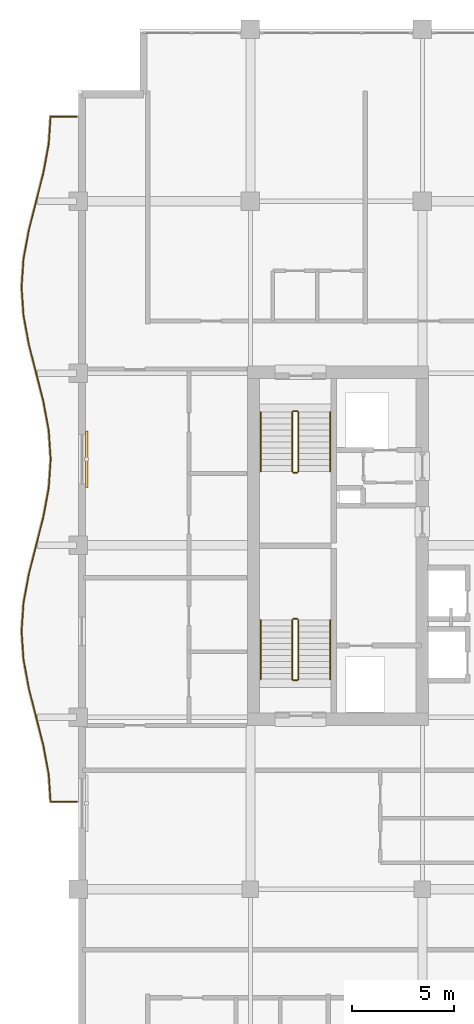
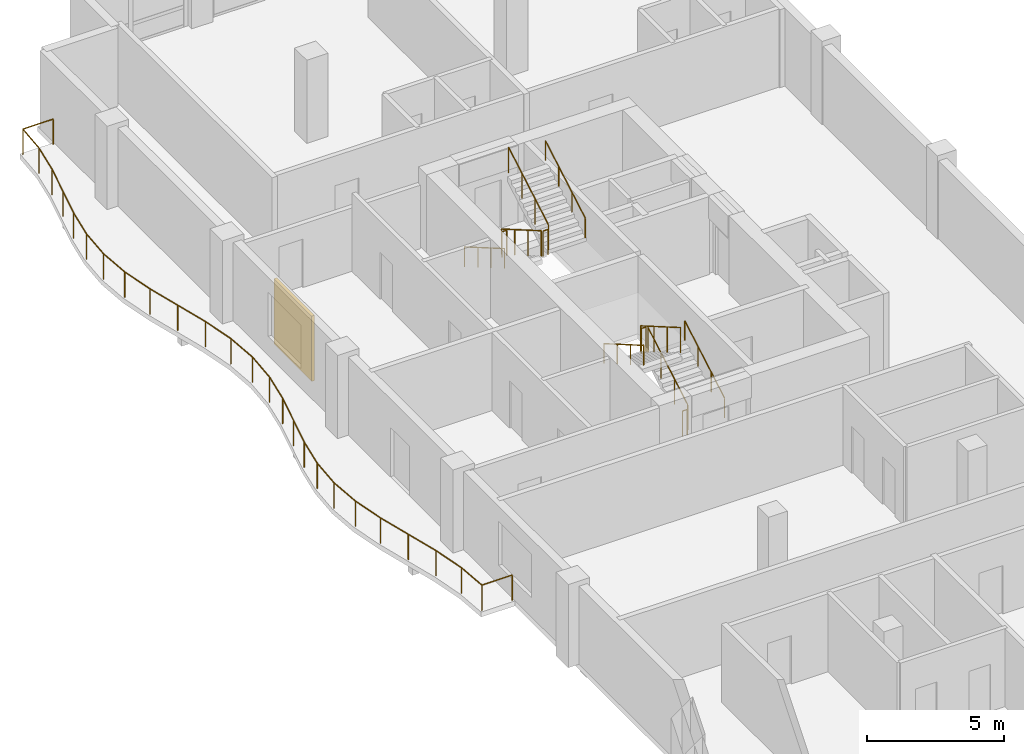
# One storey, part 16 of 17: 13 railings, 1 shading device.
"""IFC4 building model written with IfcOpenShell, lengths in metres."""

from ifc_helpers import new_model, si_unit, direction, frame, origin, origin_2d, place, context, subcontext, project, spatial, rectangle, circle, extrude, material, layer, layer_set, type_object, element, save


model = new_model("IFC4")

# Units and contexts
model_context = context("Model", 3, precision=1e-05, world=origin(), true_north=direction((0.0, 1.0)))
body_context = subcontext(model_context, "Body", "Model", "MODEL_VIEW")
ifc_project = project(units=[si_unit("LENGTHUNIT", "METRE"), si_unit("AREAUNIT", "SQUARE_METRE"), si_unit("VOLUMEUNIT", "CUBIC_METRE"), si_unit("PLANEANGLEUNIT", "RADIAN"), si_unit("MASSUNIT", "GRAM", prefix="KILO")], contexts=[model_context])

# Site, building, storey
site_placement = place(None, origin())
site = spatial("IfcSite", under=ifc_project, at=site_placement, CompositionType="ELEMENT")
building_placement = place(site_placement, origin())
building = spatial("IfcBuilding", under=site, at=building_placement, Name="Koriwani Terraces Tower", CompositionType="ELEMENT")
storey_placement = place(building_placement, frame((0.0, 0.0, 237.89990234375)))
storey = spatial("IfcBuildingStorey", under=building, at=storey_placement, Name="L58", CompositionType="ELEMENT", Elevation=237.89990234375)

# Railings
ifc_material_1 = material(Name="Steel ASTM A572 Grade 50", Category="steel")
railing_type_1 = type_object("IfcRailingType", Name="GUARD_BALUSTRADE_1150", PredefinedType="BALUSTRADE", material=ifc_material_1)
railing_1_placement = place(storey_placement, frame((8.320068359375, 37.8798828125, 0.0)))
element("IfcRailing", 1, at=railing_1_placement, inside=storey, type_object=railing_type_1, Name="L58 Balcony Perimeter Safety Balustrade (W)", PredefinedType="BALUSTRADE", context=body_context, shape_type="SweptSolid", body=[
    extrude(circle(Radius=0.02392578125, at=origin_2d()), frame((0.0, 0.0, 1.1259765625), z_axis=(-1.0, 0.0, 0.0), x_axis=(0.0, -1.0, 0.0)), (0.0, 0.0, 1.0), 1.275146484375),
    extrude(circle(Radius=0.02392578125, at=origin_2d()), frame((-1.275146484375, 0.0, 1.1259765625), z_axis=(-0.068123313151, 0.997676908726, 0.0), x_axis=(-0.997676908726, -0.068123313151, 0.0)), (0.0, 0.0, 1.0), 1.333251953125),
    extrude(circle(Radius=0.02392578125, at=origin_2d()), frame((-1.365966796875, 1.330078125, 1.1259765625), z_axis=(-0.182351913416, 0.983233329212, 0.0), x_axis=(-0.983233329212, -0.182351913416, 0.0)), (0.0, 0.0, 1.0), 1.43115234375),
    extrude(circle(Radius=0.02392578125, at=origin_2d()), frame((-1.626953125, 2.7373046875, 1.1259765625), z_axis=(-0.245775750895, 0.969326714928, 0.0), x_axis=(-0.969326714928, -0.245775750895, 0.0)), (0.0, 0.0, 1.0), 2.888671875),
    extrude(circle(Radius=0.02392578125, at=origin_2d()), frame((-2.3369140625, 5.537353515625, 1.1259765625), z_axis=(-0.182508895706, 0.98320420208, 0.0), x_axis=(-0.98320420208, -0.182508895706, 0.0)), (0.0, 0.0, 1.0), 1.41650390625),
    extrude(circle(Radius=0.02392578125, at=origin_2d()), frame((-2.595458984375, 6.93017578125, 1.1259765625), z_axis=(-0.067821696155, 0.997697457915, 0.0), x_axis=(-0.997697457915, -0.067821696155, 0.0)), (0.0, 0.0, 1.0), 1.39306640625),
    extrude(circle(Radius=0.02392578125, at=origin_2d()), frame((-2.68994140625, 8.320068359375, 1.1259765625), z_axis=(0.067809839848, 0.997698263815, 0.0), x_axis=(-0.997698263815, 0.067809839848, 0.0)), (0.0, 0.0, 1.0), 1.393310546875),
    extrude(circle(Radius=0.02392578125, at=origin_2d()), frame((-2.595458984375, 9.710205078125, 1.1259765625), z_axis=(0.182508895706, 0.98320420208, 0.0), x_axis=(-0.98320420208, 0.182508895706, 0.0)), (0.0, 0.0, 1.0), 1.41650390625),
    extrude(circle(Radius=0.02392578125, at=origin_2d()), frame((-2.3369140625, 11.10302734375, 1.1259765625), z_axis=(0.245775750895, 0.969326714928, 0.0), x_axis=(-0.969326714928, 0.245775750895, 0.0)), (0.0, 0.0, 1.0), 2.888671875),
    extrude(circle(Radius=0.02392578125, at=origin_2d()), frame((-1.626953125, 13.903076171875, 1.1259765625), z_axis=(0.182382502828, 0.983227655562, 0.0), x_axis=(-0.983227655562, 0.182382502828, 0.0)), (0.0, 0.0, 1.0), 1.430908203125),
    extrude(circle(Radius=0.02392578125, at=origin_2d()), frame((-1.365966796875, 15.31005859375, 1.1259765625), z_axis=(0.067711278299, 0.997704957786, 0.0), x_axis=(-0.997704957786, 0.067711278299, 0.0)), (0.0, 0.0, 1.0), 1.413330078125),
    extrude(circle(Radius=0.02392578125, at=origin_2d()), frame((-1.270263671875, 16.72021484375, 1.1259765625), z_axis=(-0.067722949425, 0.997704165633, 0.0), x_axis=(-0.997704165633, -0.067722949425, 0.0)), (0.0, 0.0, 1.0), 1.4130859375),
    extrude(circle(Radius=0.02392578125, at=origin_2d()), frame((-1.365966796875, 18.130126953125, 1.1259765625), z_axis=(-0.182382502828, 0.983227655562, 0.0), x_axis=(-0.983227655562, -0.182382502828, 0.0)), (0.0, 0.0, 1.0), 1.430908203125),
    extrude(circle(Radius=0.02392578125, at=origin_2d()), frame((-1.626953125, 19.537109375, 1.1259765625), z_axis=(-0.245755617389, 0.969331819617, 0.0), x_axis=(-0.969331819617, -0.245755617389, 0.0)), (0.0, 0.0, 1.0), 2.888916015625),
    extrude(circle(Radius=0.02392578125, at=origin_2d()), frame((-2.3369140625, 22.33740234375, 1.1259765625), z_axis=(-0.182508895706, 0.98320420208, 0.0), x_axis=(-0.98320420208, -0.182508895706, 0.0)), (0.0, 0.0, 1.0), 1.41650390625),
    extrude(circle(Radius=0.02392578125, at=origin_2d()), frame((-2.595458984375, 23.730224609375, 1.1259765625), z_axis=(-0.067821696155, 0.997697457915, 0.0), x_axis=(-0.997697457915, -0.067821696155, 0.0)), (0.0, 0.0, 1.0), 1.39306640625),
    extrude(circle(Radius=0.02392578125, at=origin_2d()), frame((-2.68994140625, 25.1201171875, 1.1259765625), z_axis=(0.067821696155, 0.997697457915, 0.0), x_axis=(-0.997697457915, 0.067821696155, 0.0)), (0.0, 0.0, 1.0), 1.39306640625),
    extrude(circle(Radius=0.02392578125, at=origin_2d()), frame((-2.595458984375, 26.510009765625, 1.1259765625), z_axis=(0.182508895706, 0.98320420208, 0.0), x_axis=(-0.98320420208, 0.182508895706, 0.0)), (0.0, 0.0, 1.0), 1.41650390625),
    extrude(circle(Radius=0.02392578125, at=origin_2d()), frame((-2.3369140625, 27.90283203125, 1.1259765625), z_axis=(0.245755617389, 0.969331819617, 0.0), x_axis=(-0.969331819617, 0.245755617389, 0.0)), (0.0, 0.0, 1.0), 2.888916015625),
    extrude(circle(Radius=0.02392578125, at=origin_2d()), frame((-1.626953125, 30.703125, 1.1259765625), z_axis=(0.182382502828, 0.983227655562, 0.0), x_axis=(-0.983227655562, 0.182382502828, 0.0)), (0.0, 0.0, 1.0), 1.430908203125),
    extrude(circle(Radius=0.02392578125, at=origin_2d()), frame((-1.365966796875, 32.110107421875, 1.1259765625), z_axis=(0.068123313151, 0.997676908726, 0.0), x_axis=(-0.997676908726, 0.068123313151, 0.0)), (0.0, 0.0, 1.0), 1.333251953125),
    extrude(circle(Radius=0.02392578125, at=origin_2d()), frame((-1.275146484375, 33.440185546875, 1.1259765625), z_axis=(1.0, 0.0, 0.0), x_axis=(0.0, 1.0, 0.0)), (0.0, 0.0, 1.0), 1.275146484375),
    extrude(circle(Radius=0.02099609375, at=origin_2d()), origin(), (0.0, 0.0, 1.0), 1.101806640625),
    extrude(circle(Radius=0.02099609375, at=origin_2d()), frame((-1.275146484375, 0.0, 0.0)), (0.0, 0.0, 1.0), 1.101806640625),
    extrude(circle(Radius=0.02099609375, at=origin_2d()), frame((-1.365966796875, 1.330078125, 0.0)), (0.0, 0.0, 1.0), 1.101806640625),
    extrude(circle(Radius=0.02099609375, at=origin_2d()), frame((-1.626953125, 2.7373046875, 0.0)), (0.0, 0.0, 1.0), 1.101806640625),
    extrude(circle(Radius=0.02099609375, at=origin_2d()), frame((-1.98193359375, 4.13720703125, 0.0)), (0.0, 0.0, 1.0), 1.101806640625),
    extrude(circle(Radius=0.02099609375, at=origin_2d()), frame((-2.3369140625, 5.537353515625, 0.0)), (0.0, 0.0, 1.0), 1.101806640625),
    extrude(circle(Radius=0.02099609375, at=origin_2d()), frame((-2.595458984375, 6.93017578125, 0.0)), (0.0, 0.0, 1.0), 1.101806640625),
    extrude(circle(Radius=0.02099609375, at=origin_2d()), frame((-2.68994140625, 8.320068359375, 0.0)), (0.0, 0.0, 1.0), 1.101806640625),
    extrude(circle(Radius=0.02099609375, at=origin_2d()), frame((-2.595458984375, 9.710205078125, 0.0)), (0.0, 0.0, 1.0), 1.101806640625),
    extrude(circle(Radius=0.02099609375, at=origin_2d()), frame((-2.3369140625, 11.10302734375, 0.0)), (0.0, 0.0, 1.0), 1.101806640625),
    extrude(circle(Radius=0.02099609375, at=origin_2d()), frame((-1.98193359375, 12.5029296875, 0.0)), (0.0, 0.0, 1.0), 1.101806640625),
    extrude(circle(Radius=0.02099609375, at=origin_2d()), frame((-1.626953125, 13.903076171875, 0.0)), (0.0, 0.0, 1.0), 1.101806640625),
    extrude(circle(Radius=0.02099609375, at=origin_2d()), frame((-1.365966796875, 15.31005859375, 0.0)), (0.0, 0.0, 1.0), 1.101806640625),
    extrude(circle(Radius=0.02099609375, at=origin_2d()), frame((-1.270263671875, 16.72021484375, 0.0)), (0.0, 0.0, 1.0), 1.101806640625),
    extrude(circle(Radius=0.02099609375, at=origin_2d()), frame((-1.365966796875, 18.130126953125, 0.0)), (0.0, 0.0, 1.0), 1.101806640625),
    extrude(circle(Radius=0.02099609375, at=origin_2d()), frame((-1.626953125, 19.537109375, 0.0)), (0.0, 0.0, 1.0), 1.101806640625),
    extrude(circle(Radius=0.02099609375, at=origin_2d()), frame((-1.98193359375, 20.937255859375, 0.0)), (0.0, 0.0, 1.0), 1.101806640625),
    extrude(circle(Radius=0.02099609375, at=origin_2d()), frame((-2.3369140625, 22.33740234375, 0.0)), (0.0, 0.0, 1.0), 1.101806640625),
    extrude(circle(Radius=0.02099609375, at=origin_2d()), frame((-2.595458984375, 23.730224609375, 0.0)), (0.0, 0.0, 1.0), 1.101806640625),
    extrude(circle(Radius=0.02099609375, at=origin_2d()), frame((-2.68994140625, 25.1201171875, 0.0)), (0.0, 0.0, 1.0), 1.101806640625),
    extrude(circle(Radius=0.02099609375, at=origin_2d()), frame((-2.595458984375, 26.510009765625, 0.0)), (0.0, 0.0, 1.0), 1.101806640625),
    extrude(circle(Radius=0.02099609375, at=origin_2d()), frame((-2.3369140625, 27.90283203125, 0.0)), (0.0, 0.0, 1.0), 1.101806640625),
    extrude(circle(Radius=0.02099609375, at=origin_2d()), frame((-1.98193359375, 29.302978515625, 0.0)), (0.0, 0.0, 1.0), 1.101806640625),
    extrude(circle(Radius=0.02099609375, at=origin_2d()), frame((-1.626953125, 30.703125, 0.0)), (0.0, 0.0, 1.0), 1.101806640625),
    extrude(circle(Radius=0.02099609375, at=origin_2d()), frame((-1.365966796875, 32.110107421875, 0.0)), (0.0, 0.0, 1.0), 1.101806640625),
    extrude(circle(Radius=0.02099609375, at=origin_2d()), frame((-1.275146484375, 33.440185546875, 0.0)), (0.0, 0.0, 1.0), 1.101806640625),
    extrude(circle(Radius=0.02099609375, at=origin_2d()), frame((0.0, 33.440185546875, 0.0)), (0.0, 0.0, 1.0), 1.101806640625),
])
railing_type_2 = type_object("IfcRailingType", Name="GUARD_STAIR_WELL_1120", PredefinedType="GUARDRAIL", material=ifc_material_1)
railing_2_placement = place(storey_placement, frame((19.14990234375, 43.85009765625, 0.168212890625)))
element("IfcRailing", 2, at=railing_2_placement, inside=storey, type_object=railing_type_2, Name="L58 ST-W1 stair guard 1", PredefinedType="GUARDRAIL", context=body_context, shape_type="SweptSolid", body=[
    extrude(circle(Radius=0.02392578125, at=origin_2d()), frame((0.0, 0.0, 1.1259765625), z_axis=(0.0, 0.865038774852, 0.501705010941), x_axis=(-1.0, 0.0, 0.0)), (0.0, 0.0, 1.0), 3.352294921875),
    extrude(circle(Radius=0.02099609375, at=origin_2d()), origin(), (0.0, 0.0, 1.0), 1.101806640625),
    extrude(circle(Radius=0.02099609375, at=origin_2d()), frame((0.0, 0.966552734375, 0.560546875)), (0.0, 0.0, 1.0), 1.101806640625),
    extrude(circle(Radius=0.02099609375, at=origin_2d()), frame((0.0, 1.933349609375, 1.121337890625)), (0.0, 0.0, 1.0), 1.101806640625),
    extrude(circle(Radius=0.02099609375, at=origin_2d()), frame((0.0, 2.89990234375, 1.681884765625)), (0.0, 0.0, 1.0), 1.101806640625),
])
railing_3_placement = place(storey_placement, frame((19.10009765625, 46.800048828125, 1.85009765625)))
element("IfcRailing", 3, at=railing_3_placement, inside=storey, type_object=railing_type_2, Name="L58 ST-W1 stair guard 2", PredefinedType="GUARDRAIL", context=body_context, shape_type="SweptSolid", body=[
    extrude(circle(Radius=0.02392578125, at=origin_2d()), frame((0.0, 0.0, 1.1259765625), z_axis=(-1.0, 0.0, 0.0), x_axis=(0.0, -1.0, 0.0)), (0.0, 0.0, 1.0), 0.2001953125),
    extrude(circle(Radius=0.02099609375, at=origin_2d()), origin(), (0.0, 0.0, 1.0), 1.101806640625),
    extrude(circle(Radius=0.02099609375, at=origin_2d()), frame((-0.2001953125, 0.0, 0.0)), (0.0, 0.0, 1.0), 1.101806640625),
])
railing_4_placement = place(storey_placement, frame((18.85009765625, 46.75, 2.018310546875)))
element("IfcRailing", 4, at=railing_4_placement, inside=storey, type_object=railing_type_2, Name="L58 ST-W1 stair guard 3", PredefinedType="GUARDRAIL", context=body_context, shape_type="SweptSolid", body=[
    extrude(circle(Radius=0.02392578125, at=origin_2d()), frame((0.0, 0.0, 1.1259765625), z_axis=(0.0, -0.865038774852, 0.501705010941), x_axis=(1.0, 0.0, 0.0)), (0.0, 0.0, 1.0), 3.352294921875),
    extrude(circle(Radius=0.02099609375, at=origin_2d()), origin(), (0.0, 0.0, 1.0), 1.101806640625),
    extrude(circle(Radius=0.02099609375, at=origin_2d()), frame((0.0, -0.966552734375, 0.560546875)), (0.0, 0.0, 1.0), 1.101806640625),
    extrude(circle(Radius=0.02099609375, at=origin_2d()), frame((0.0, -1.933349609375, 1.121337890625)), (0.0, 0.0, 1.0), 1.101806640625),
    extrude(circle(Radius=0.02099609375, at=origin_2d()), frame((0.0, -2.89990234375, 1.681884765625)), (0.0, 0.0, 1.0), 1.101806640625),
])
railing_5_placement = place(storey_placement, frame((19.10009765625, 43.800048828125, 0.0)))
element("IfcRailing", 5, at=railing_5_placement, inside=storey, type_object=railing_type_2, Name="L58 ST-W1 stair guard 4", PredefinedType="GUARDRAIL", context=body_context, shape_type="SweptSolid", body=[
    extrude(circle(Radius=0.02392578125, at=origin_2d()), frame((0.0, 0.0, 1.1259765625), z_axis=(-1.0, 0.0, 0.0), x_axis=(0.0, -1.0, 0.0)), (0.0, 0.0, 1.0), 0.2001953125),
    extrude(circle(Radius=0.02099609375, at=origin_2d()), origin(), (0.0, 0.0, 1.0), 1.101806640625),
    extrude(circle(Radius=0.02099609375, at=origin_2d()), frame((-0.2001953125, 0.0, 0.0)), (0.0, 0.0, 1.0), 1.101806640625),
])
railing_6_placement = place(storey_placement, frame((18.85009765625, 56.89990234375, 0.168212890625)))
element("IfcRailing", 6, at=railing_6_placement, inside=storey, type_object=railing_type_2, Name="L58 ST-W2 stair guard 1", PredefinedType="GUARDRAIL", context=body_context, shape_type="SweptSolid", body=[
    extrude(circle(Radius=0.02392578125, at=origin_2d()), frame((0.0, 0.0, 1.1259765625), z_axis=(0.0, -0.865038774852, 0.501705010941), x_axis=(1.0, 0.0, 0.0)), (0.0, 0.0, 1.0), 3.352294921875),
    extrude(circle(Radius=0.02099609375, at=origin_2d()), origin(), (0.0, 0.0, 1.0), 1.101806640625),
    extrude(circle(Radius=0.02099609375, at=origin_2d()), frame((0.0, -0.966552734375, 0.560546875)), (0.0, 0.0, 1.0), 1.101806640625),
    extrude(circle(Radius=0.02099609375, at=origin_2d()), frame((0.0, -1.933349609375, 1.121337890625)), (0.0, 0.0, 1.0), 1.101806640625),
    extrude(circle(Radius=0.02099609375, at=origin_2d()), frame((0.0, -2.89990234375, 1.681884765625)), (0.0, 0.0, 1.0), 1.101806640625),
])
railing_7_placement = place(storey_placement, frame((18.89990234375, 53.949951171875, 1.85009765625)))
element("IfcRailing", 7, at=railing_7_placement, inside=storey, type_object=railing_type_2, Name="L58 ST-W2 stair guard 2", PredefinedType="GUARDRAIL", context=body_context, shape_type="SweptSolid", body=[
    extrude(circle(Radius=0.02392578125, at=origin_2d()), frame((0.0, 0.0, 1.1259765625), z_axis=(1.0, 0.0, 0.0), x_axis=(0.0, 1.0, 0.0)), (0.0, 0.0, 1.0), 0.2001953125),
    extrude(circle(Radius=0.02099609375, at=origin_2d()), origin(), (0.0, 0.0, 1.0), 1.101806640625),
    extrude(circle(Radius=0.02099609375, at=origin_2d()), frame((0.2001953125, 0.0, 0.0)), (0.0, 0.0, 1.0), 1.101806640625),
])
railing_8_placement = place(storey_placement, frame((19.14990234375, 54.0, 2.018310546875)))
element("IfcRailing", 8, at=railing_8_placement, inside=storey, type_object=railing_type_2, Name="L58 ST-W2 stair guard 3", PredefinedType="GUARDRAIL", context=body_context, shape_type="SweptSolid", body=[
    extrude(circle(Radius=0.02392578125, at=origin_2d()), frame((0.0, 0.0, 1.1259765625), z_axis=(0.0, 0.865038774852, 0.501705010941), x_axis=(-1.0, 0.0, 0.0)), (0.0, 0.0, 1.0), 3.352294921875),
    extrude(circle(Radius=0.02099609375, at=origin_2d()), origin(), (0.0, 0.0, 1.0), 1.101806640625),
    extrude(circle(Radius=0.02099609375, at=origin_2d()), frame((0.0, 0.966552734375, 0.560546875)), (0.0, 0.0, 1.0), 1.101806640625),
    extrude(circle(Radius=0.02099609375, at=origin_2d()), frame((0.0, 1.933349609375, 1.121337890625)), (0.0, 0.0, 1.0), 1.101806640625),
    extrude(circle(Radius=0.02099609375, at=origin_2d()), frame((0.0, 2.89990234375, 1.681884765625)), (0.0, 0.0, 1.0), 1.101806640625),
])
railing_9_placement = place(storey_placement, frame((18.89990234375, 56.949951171875, 0.0)))
element("IfcRailing", 9, at=railing_9_placement, inside=storey, type_object=railing_type_2, Name="L58 ST-W2 stair guard 4", PredefinedType="GUARDRAIL", context=body_context, shape_type="SweptSolid", body=[
    extrude(circle(Radius=0.02392578125, at=origin_2d()), frame((0.0, 0.0, 1.1259765625), z_axis=(1.0, 0.0, 0.0), x_axis=(0.0, 1.0, 0.0)), (0.0, 0.0, 1.0), 0.2001953125),
    extrude(circle(Radius=0.02099609375, at=origin_2d()), origin(), (0.0, 0.0, 1.0), 1.101806640625),
    extrude(circle(Radius=0.02099609375, at=origin_2d()), frame((0.2001953125, 0.0, 0.0)), (0.0, 0.0, 1.0), 1.101806640625),
])
railing_type_3 = type_object("IfcRailingType", Name="HANDRAIL_STAIR_920", PredefinedType="HANDRAIL", material=ifc_material_1)
railing_10_placement = place(storey_placement, frame((20.699951171875, 43.85009765625, 0.168212890625)))
element("IfcRailing", 10, at=railing_10_placement, inside=storey, type_object=railing_type_3, Name="L58 ST-W1 stair handrail 1", PredefinedType="HANDRAIL", context=body_context, shape_type="SweptSolid", body=[
    extrude(circle(Radius=0.02392578125, at=origin_2d()), frame((0.0, 0.0, 0.8759765625), z_axis=(0.0, 0.865038774852, 0.501705010941), x_axis=(-1.0, 0.0, 0.0)), (0.0, 0.0, 1.0), 3.352294921875),
    extrude(circle(Radius=0.02099609375, at=origin_2d()), origin(), (0.0, 0.0, 1.0), 0.851806640625),
    extrude(circle(Radius=0.02099609375, at=origin_2d()), frame((0.0, 0.966552734375, 0.560546875)), (0.0, 0.0, 1.0), 0.851806640625),
    extrude(circle(Radius=0.02099609375, at=origin_2d()), frame((0.0, 1.933349609375, 1.121337890625)), (0.0, 0.0, 1.0), 0.851806640625),
    extrude(circle(Radius=0.02099609375, at=origin_2d()), frame((0.0, 2.89990234375, 1.681884765625)), (0.0, 0.0, 1.0), 0.851806640625),
])
for number, where, name in (
    (11, (17.300048828125, 46.75, 2.018310546875), "L58 ST-W1 stair handrail 2"),
    (12, (17.300048828125, 56.89990234375, 0.168212890625), "L58 ST-W2 stair handrail 1"),
):
    element("IfcRailing", number, at=place(storey_placement, frame(where)), inside=storey, type_object=railing_type_3, Name=name, PredefinedType="HANDRAIL", context=body_context, shape_type="SweptSolid", body=[
        extrude(circle(Radius=0.02392578125, at=origin_2d()), frame((0.0, 0.0, 0.8759765625), z_axis=(0.0, -0.865038774852, 0.501705010941), x_axis=(1.0, 0.0, 0.0)), (0.0, 0.0, 1.0), 3.352294921875),
        extrude(circle(Radius=0.02099609375, at=origin_2d()), origin(), (0.0, 0.0, 1.0), 0.851806640625),
        extrude(circle(Radius=0.02099609375, at=origin_2d()), frame((0.0, -0.966552734375, 0.560546875)), (0.0, 0.0, 1.0), 0.851806640625),
        extrude(circle(Radius=0.02099609375, at=origin_2d()), frame((0.0, -1.933349609375, 1.121337890625)), (0.0, 0.0, 1.0), 0.851806640625),
        extrude(circle(Radius=0.02099609375, at=origin_2d()), frame((0.0, -2.89990234375, 1.681884765625)), (0.0, 0.0, 1.0), 0.851806640625),
    ])
railing_11_placement = place(storey_placement, frame((20.699951171875, 54.0, 2.018310546875)))
element("IfcRailing", 13, at=railing_11_placement, inside=storey, type_object=railing_type_3, Name="L58 ST-W2 stair handrail 2", PredefinedType="HANDRAIL", context=body_context, shape_type="SweptSolid", body=[
    extrude(circle(Radius=0.02392578125, at=origin_2d()), frame((0.0, 0.0, 0.8759765625), z_axis=(0.0, 0.865038774852, 0.501705010941), x_axis=(-1.0, 0.0, 0.0)), (0.0, 0.0, 1.0), 3.352294921875),
    extrude(circle(Radius=0.02099609375, at=origin_2d()), origin(), (0.0, 0.0, 1.0), 0.851806640625),
    extrude(circle(Radius=0.02099609375, at=origin_2d()), frame((0.0, 0.966552734375, 0.560546875)), (0.0, 0.0, 1.0), 0.851806640625),
    extrude(circle(Radius=0.02099609375, at=origin_2d()), frame((0.0, 1.933349609375, 1.121337890625)), (0.0, 0.0, 1.0), 0.851806640625),
    extrude(circle(Radius=0.02099609375, at=origin_2d()), frame((0.0, 2.89990234375, 1.681884765625)), (0.0, 0.0, 1.0), 0.851806640625),
])

# Shading device
ifc_material_2 = material(Name="Extruded Terracotta Clay", Category="masonry")
ifc_layer = layer(ifc_material_2, 0.1201171875, Name="Extruded Terracotta Clay")
ifc_layer_set = layer_set([ifc_layer], Name="Extruded Terracotta Clay")
shading_device_type = type_object("IfcShadingDeviceType", Name="TERRACOTTA_BAGUETTE_SCREEN_2800", PredefinedType="USERDEFINED", material=ifc_layer_set)
shading_device_placement = place(storey_placement, frame((8.804931640625, 54.60009765625, 0.28515625), z_axis=(0.0, 0.0, 1.0), x_axis=(0.0, 1.0, 0.0)))
element("IfcShadingDevice", 14, at=shading_device_placement, inside=storey, type_object=shading_device_type, Name="L58 Extruded Terracotta Baguette Screen (W-15)", ObjectType="BAGUETTE", PredefinedType="USERDEFINED", context=body_context, shape_type="SweptSolid", body=[
    extrude(rectangle(XDim=2.760009765625, YDim=0.1201171875, at=origin_2d()), origin(), (0.0, 0.0, 1.0), 2.89990234375),
])

save(model, "model.ifc")
